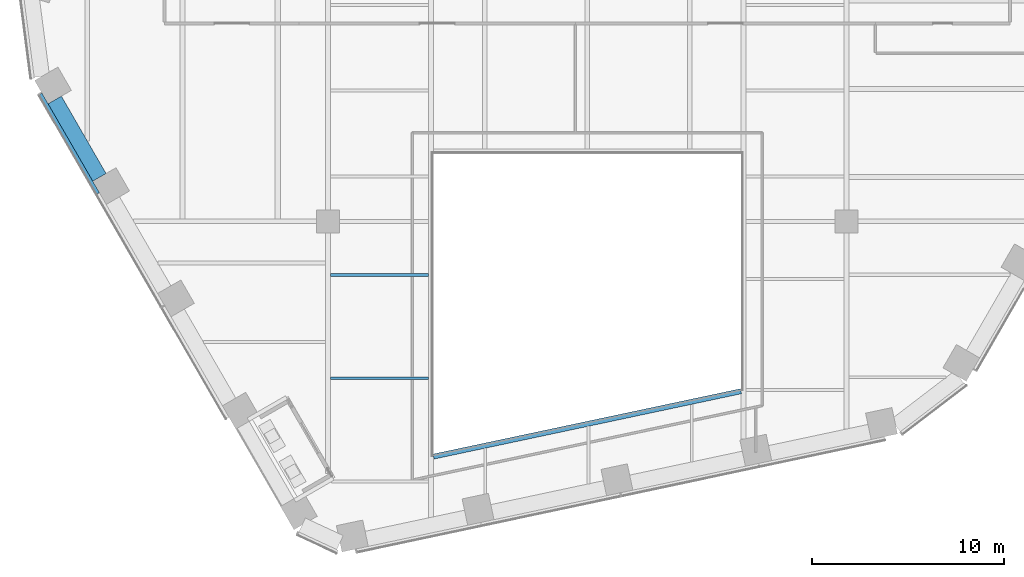
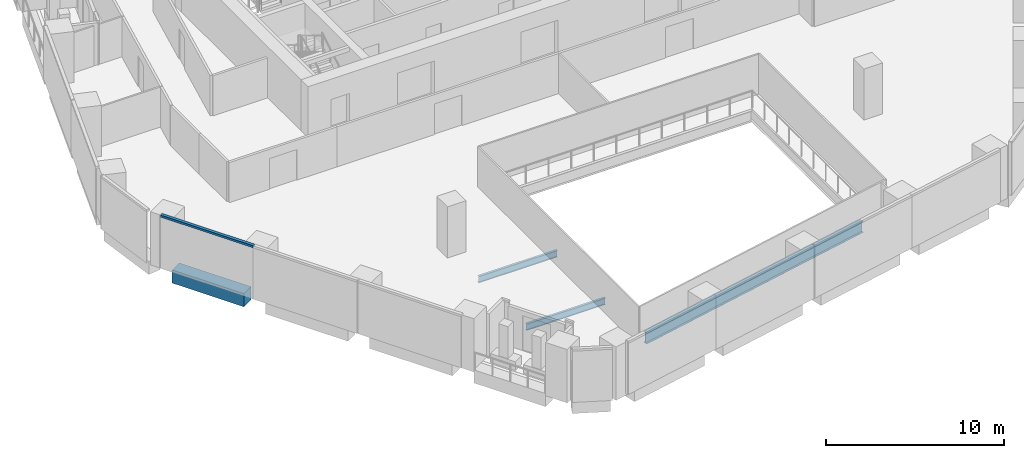
# One storey, part 3 of 26: 4 beams, 1 member, 1 element without a shape of its own.
"""IFC4 building model written with IfcOpenShell, lengths in metres."""

from ifc_helpers import new_model, si_unit, direction, frame, origin, origin_2d, place, context, subcontext, project, spatial, rectangle, i_section, extrude, material, layer, layer_set, material_profile, profile_set, type_object, element, aggregate, save


model = new_model("IFC4")

# Units and contexts
model_context = context("Model", 3, precision=1e-05, world=origin(), true_north=direction((0.0, 1.0)))
body_context = subcontext(model_context, "Body", "Model", "MODEL_VIEW")
ifc_project = project(units=[si_unit("LENGTHUNIT", "METRE"), si_unit("AREAUNIT", "SQUARE_METRE"), si_unit("VOLUMEUNIT", "CUBIC_METRE"), si_unit("PLANEANGLEUNIT", "RADIAN"), si_unit("MASSUNIT", "GRAM", prefix="KILO")], contexts=[model_context])

# Site, building, storey
site_placement = place(None, origin())
site = spatial("IfcSite", under=ifc_project, at=site_placement, CompositionType="ELEMENT")
building_placement = place(site_placement, origin())
building = spatial("IfcBuilding", under=site, at=building_placement, Name="Isthmus Gate Tower", CompositionType="ELEMENT")
storey_placement = place(building_placement, frame((0.0, 0.0, 144.39990234375)))
storey = spatial("IfcBuildingStorey", under=building, at=storey_placement, Name="L35", CompositionType="ELEMENT", Elevation=144.39990234375)

# Curtain wall, member
ifc_material_1 = material(Name="Aluminium, pale champagne anodised", Category="aluminium")
ifc_layer = layer(ifc_material_1, 0.199951171875)
ifc_layer_set = layer_set([ifc_layer], Name="CW-1 UNITISED CURTAIN WALL 200 DEEP")
curtain_wall_type = type_object("IfcCurtainWallType", Name="CW-1 UNITISED CURTAIN WALL 200 DEEP", PredefinedType="NOTDEFINED", material=ifc_layer_set)
curtain_wall_placement = place(storey_placement, origin())
curtain_wall = element("IfcCurtainWall", 1, at=curtain_wall_placement, inside=storey, type_object=curtain_wall_type, Name="CW-1 SW L35", PredefinedType="NOTDEFINED")
ifc_material_2 = material(Name="Aluminium, pale champagne anodised", Category="aluminium")
ifc_material_profile_1 = material_profile(ifc_material_2, rectangle(XDim=0.199951171875, YDim=0.139892578125, at=origin_2d()), Name="200x140")
ifc_profile_set_1 = profile_set([ifc_material_profile_1], Name="Aluminium, pale champagne anodised")
member_type = type_object("IfcMemberType", Name="CW-1 TRANSOM 200 X 140", PredefinedType="USERDEFINED", material=ifc_profile_set_1)
member_placement = place(storey_placement, frame((-28.474609375, -6.880615234375, 3.580078125), z_axis=(0.500014106551, -0.86601725921, 0.0), x_axis=(0.86601725921, 0.500014106551, 0.0)))
member = element("IfcMember", 2, at=member_placement, type_object=member_type, Name="CW-1 transom", ObjectType="TRANSOM", PredefinedType="USERDEFINED", context=body_context, shape_type="SweptSolid", body=[
    extrude(rectangle(XDim=0.199951171875, YDim=0.139892578125, at=origin_2d()), origin(), (0.0, 0.0, 1.0), 5.989990234375),
])
aggregate(curtain_wall, [member])

# Beams
ifc_material_3 = material(Name="Concrete f'c 60 MPa", Category="concrete")
ifc_material_profile_2 = material_profile(ifc_material_3, rectangle(XDim=0.800048828125, YDim=0.89990234375, at=origin_2d()), Name="RC 800X900")
ifc_profile_set_2 = profile_set([ifc_material_profile_2], Name="Concrete f'c 60 MPa")
beam_type_1 = type_object("IfcBeamType", Name="RC SPANDREL 800 X 900", PredefinedType="SPANDREL", material=ifc_profile_set_2)
beam_1_placement = place(storey_placement, frame((-25.396484375, -11.2119140625, -0.449951171875), z_axis=(-0.500023913295, 0.866011596997, 0.0), x_axis=(-0.866011596997, -0.500023913295, 0.0)))
element("IfcBeam", 3, at=beam_1_placement, inside=storey, type_object=beam_type_1, Name="str-spandrel-L35-19", PredefinedType="SPANDREL", context=body_context, shape_type="SweptSolid", body=[
    extrude(rectangle(XDim=0.800048828125, YDim=0.89990234375, at=origin_2d()), origin(), (0.0, 0.0, 1.0), 4.650146484375),
])
ifc_material_4 = material(Name="Structural steel ASTM A992 Gr 50", Category="steel")
ifc_material_profile_3 = material_profile(ifc_material_4, i_section(OverallWidth=0.15234375, OverallDepth=0.45068359375, WebThickness=0.0078125, FlangeThickness=0.010986328125, at=origin_2d()), Name="W18X35")
ifc_profile_set_3 = profile_set([ifc_material_profile_3], Name="Structural steel ASTM A992 Gr 50")
beam_type_2 = type_object("IfcBeamType", Name="STEEL FLOOR BEAM W18X35", PredefinedType="JOIST", material=ifc_profile_set_3)
for number, where, z_axis, x_axis, name in (
    (4, (-13.3681640625, -21.67041015625, -0.375244140625), (1.0, 0.0, 0.0), (0.0, 1.0, 0.0), "str-beam-L35-06-01"),
    (5, (-13.3681640625, -16.293212890625, -0.375244140625), (1.0, 0.0, 0.0), (0.0, 1.0, 0.0), "str-beam-L35-06-02"),
):
    element("IfcBeam", number, at=place(storey_placement, frame(where, z_axis=z_axis, x_axis=x_axis)), inside=storey, type_object=beam_type_2, Name=name, PredefinedType="JOIST", context=body_context, shape_type="SweptSolid", body=[
        extrude(i_section(OverallWidth=0.15234375, OverallDepth=0.45068359375, WebThickness=0.0078125, FlangeThickness=0.010986328125, at=origin_2d()), origin(), (0.0, 0.0, 1.0), 5.1015625),
    ])
ifc_material_5 = material(Name="Structural steel ASTM A992 Gr 50", Category="steel")
ifc_material_profile_4 = material_profile(ifc_material_5, i_section(OverallWidth=0.2666015625, OverallDepth=0.7587890625, WebThickness=0.014404296875, FlangeThickness=0.01904296875, at=origin_2d()), Name="W30X108")
ifc_profile_set_4 = profile_set([ifc_material_profile_4], Name="Structural steel ASTM A992 Gr 50")
beam_type_3 = type_object("IfcBeamType", Name="STEEL TRIMMER W30X108", PredefinedType="BEAM", material=ifc_profile_set_4)
beam_2_placement = place(storey_placement, frame((-8.0, -25.747314453125, -0.529296875), z_axis=(0.978147924985, 0.20791016533, 0.0), x_axis=(-0.20791016533, 0.978147924985, 0.0)))
element("IfcBeam", 6, at=beam_2_placement, inside=storey, type_object=beam_type_3, Name="str-trimmer-L35-03", PredefinedType="BEAM", context=body_context, shape_type="SweptSolid", body=[
    extrude(i_section(OverallWidth=0.2666015625, OverallDepth=0.7587890625, WebThickness=0.014404296875, FlangeThickness=0.01904296875, at=origin_2d()), origin(), (0.0, 0.0, 1.0), 16.357421875),
])

save(model, "model.ifc")
